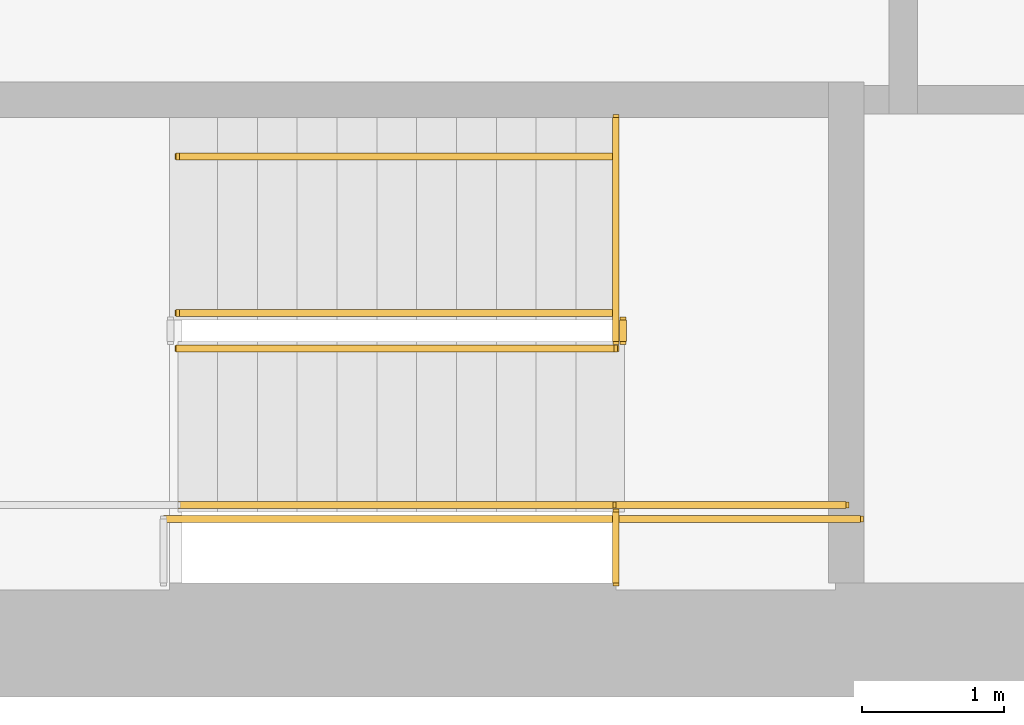
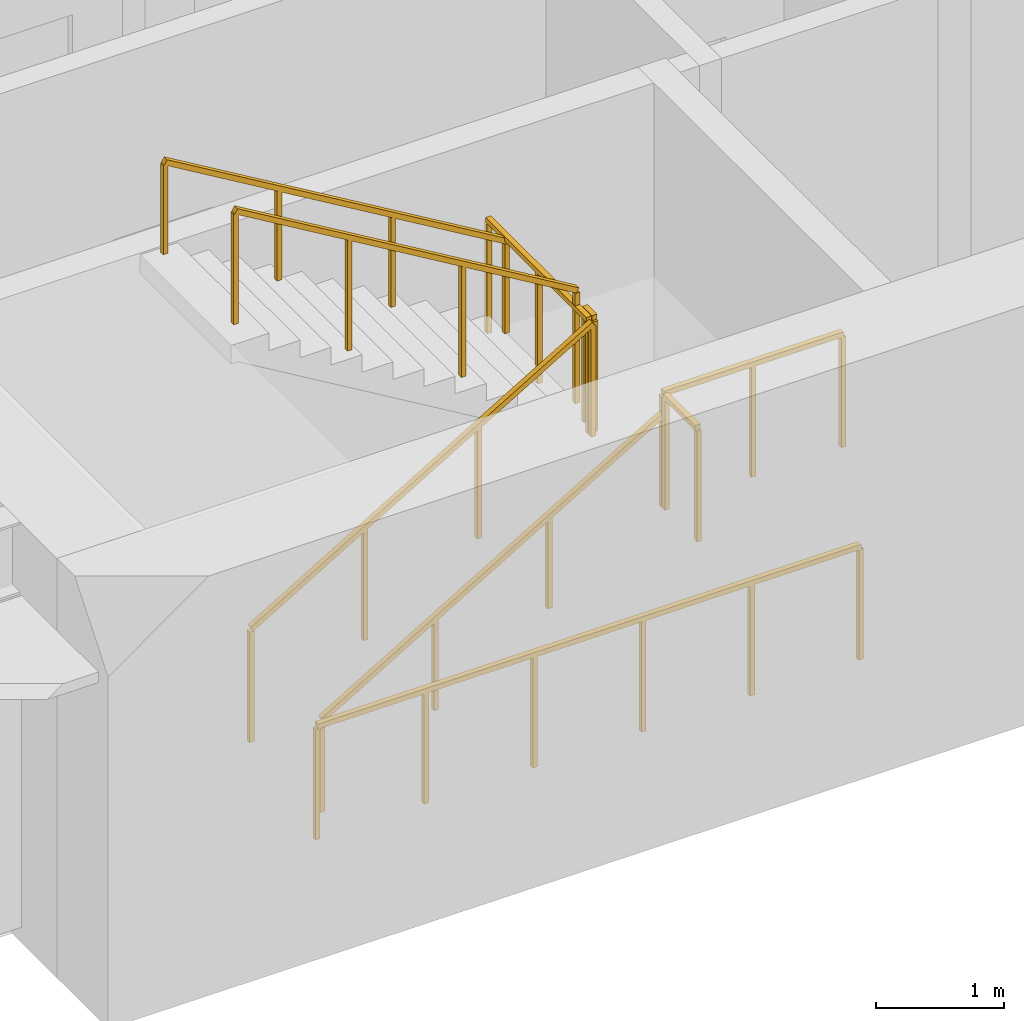
# One storey, part 10 of 12: 9 railings.
"""IFC4 building model written with IfcOpenShell, lengths in metres."""

import ifcopenshell
import ifcopenshell.guid

model = None  # the IFC model being written
_history = None  # IfcOwnerHistory: only IFC2X3 demands one
_inside = {}  # id of a spatial element -> (the spatial element, [elements in it])
_under = {}  # id of a project, library or spatial element -> (it, [spatial elements below it])
_declared = {}  # id of a project -> (the project, [libraries it declares])
_typed = {}  # id of a type object -> (the type object, [elements of that type])
_made_of = {}  # id of a material, layer set ... -> (it, [elements and type objects made of it])


def new_model(schema):
    """Start an empty IFC model of exactly this schema.

    Asked for "IFC4X3", IfcOpenShell would pick the latest addendum, in which some entities
    have other attributes; the version numbers below select the first issue.
    IFC2X3 requires an IfcOwnerHistory on every rooted entity: one is made here for all.
    """
    global model, _history
    if schema == "IFC4X3":
        model = ifcopenshell.file(schema_version=(4, 3, 0, 0))
    else:
        model = ifcopenshell.file(schema=schema)
    _inside.clear()
    _under.clear()
    _declared.clear()
    _typed.clear()
    _made_of.clear()
    _history = None
    if model.schema == "IFC2X3":
        org = make("IfcOrganization", Name="unknown")
        user = make(
            "IfcPersonAndOrganization",
            ThePerson=make("IfcPerson", FamilyName="unknown"),
            TheOrganization=org,
        )
        app = make(
            "IfcApplication",
            ApplicationDeveloper=org,
            Version="unknown",
            ApplicationFullName="unknown",
            ApplicationIdentifier="unknown",
        )
        _history = make(
            "IfcOwnerHistory",
            OwningUser=user,
            OwningApplication=app,
            ChangeAction="ADDED",
            CreationDate=0,
        )
    return model


def make(cls, **values):
    """One entity of the class cls with the attributes given. An attribute that is None is left unset."""
    return model.create_entity(
        cls, **{name: value for name, value in values.items() if value is not None}
    )


def rooted(cls, **values):
    """An entity with a GlobalId (a new one), such as an element, a storey or a relation."""
    return make(cls, GlobalId=ifcopenshell.guid.new(), OwnerHistory=_history, **values)


def si_unit(unit_type, name, prefix=None):
    """IfcSIUnit, for example si_unit("LENGTHUNIT", "METRE", prefix="MILLI")."""
    return make("IfcSIUnit", UnitType=unit_type, Prefix=prefix, Name=name)


def assignment(units):
    """IfcUnitAssignment: the units of a project."""
    return None if units is None else make("IfcUnitAssignment", Units=units)


def point(xyz):
    """IfcCartesianPoint."""
    return None if xyz is None else make("IfcCartesianPoint", Coordinates=xyz)


def direction(xyz):
    """IfcDirection."""
    return None if xyz is None else make("IfcDirection", DirectionRatios=xyz)


def frame(location, z_axis=None, x_axis=None):
    """IfcAxis2Placement3D, a coordinate frame: its origin and axes. An axis left out is left unset."""
    return make(
        "IfcAxis2Placement3D",
        Location=point(location),
        Axis=direction(z_axis),
        RefDirection=direction(x_axis),
    )


def frame_2d(location, x_axis=None):
    """IfcAxis2Placement2D, a coordinate frame in the plane: its origin and x axis."""
    return make(
        "IfcAxis2Placement2D", Location=point(location), RefDirection=direction(x_axis)
    )


def origin():
    """The frame at (0, 0, 0) with its axes left unset."""
    return frame((0.0, 0.0, 0.0))


def origin_2d():
    """The frame at (0, 0) in the plane with its x axis left unset."""
    return frame_2d((0.0, 0.0))


def place(relative_to, where):
    """IfcLocalPlacement: puts the frame where relative to a parent placement (None: the world)."""
    return make(
        "IfcLocalPlacement", PlacementRelTo=relative_to, RelativePlacement=where
    )


def context(
    kind, dimensions, precision=None, world=None, true_north=None, identifier=None
):
    """IfcGeometricRepresentationContext, for example the 3D "Model" context."""
    return make(
        "IfcGeometricRepresentationContext",
        ContextIdentifier=identifier,
        ContextType=kind,
        CoordinateSpaceDimension=dimensions,
        Precision=precision,
        WorldCoordinateSystem=world,
        TrueNorth=true_north,
    )


def subcontext(parent, identifier, kind, view, scale=None):
    """IfcGeometricRepresentationSubContext, for example "Body" below "Model"."""
    return make(
        "IfcGeometricRepresentationSubContext",
        ContextIdentifier=identifier,
        ContextType=kind,
        ParentContext=parent,
        TargetScale=scale,
        TargetView=view,
    )


def project(units=None, contexts=None):
    """IfcProject with its units and contexts."""
    return rooted(
        "IfcProject",
        Name="project",
        RepresentationContexts=contexts,
        UnitsInContext=assignment(units),
    )


def spatial(cls, under=None, at=None, **own):
    """A site, building, storey or space (cls), placed at a placement, below another one or the project."""
    s = rooted(cls, ObjectPlacement=at, **own)
    if under is not None:
        _under.setdefault(under.id(), (under, []))[1].append(s)
    return s


def profile(cls, at=None, kind="AREA", **sizes):
    """A parametric profile (cls). Its sizes go by their IFC names, for example OverallWidth=200.0."""
    return make(cls, ProfileType=kind, Position=at, **sizes)


def rectangle(**sizes):
    """IfcRectangleProfileDef."""
    return profile("IfcRectangleProfileDef", **sizes)


def extrude(swept, where, along, depth):
    """IfcExtrudedAreaSolid: the profile swept, set in the frame where, extruded along a direction by depth."""
    return make(
        "IfcExtrudedAreaSolid",
        SweptArea=swept,
        Position=where,
        ExtrudedDirection=direction(along),
        Depth=depth,
    )


def shape(context_of_items, identifier, shape_type, items):
    """IfcShapeRepresentation: the items that make up one representation, for example the "Body"."""
    return make(
        "IfcShapeRepresentation",
        ContextOfItems=context_of_items,
        RepresentationIdentifier=identifier,
        RepresentationType=shape_type,
        Items=items,
    )


def material(Name=None, Category=None):
    """IfcMaterial."""
    return make("IfcMaterial", Name=Name, Category=Category)


def made_of(thing, what):
    """Note that an element or type object is made of a material, layer set ...; save() writes the relation."""
    if what is not None:
        _made_of.setdefault(what.id(), (what, []))[1].append(thing)
    return thing


def type_object(cls, material=None, **own):
    """A type object (cls), such as IfcWallType, which elements share."""
    return made_of(rooted(cls, **own), material)


def element(
    cls,
    number,
    at=None,
    inside=None,
    cuts=None,
    type_object=None,
    material=None,
    context=None,
    identifier="Body",
    shape_type=None,
    held_by="IfcProductDefinitionShape",
    body=None,
    shapes=None,
    **own,
):
    """One element of the class cls, such as IfcWall. Its Tag is "e" and its number.

    at: its placement. inside: the storey or other place that contains it. cuts: it is an
    opening in that element (IfcRelVoidsElement). A single representation is given by context,
    identifier, shape_type and body (its items); several are given by shapes. held_by: the class
    of the entity that holds the representations. save() writes the other relations.
    """
    e = rooted(cls, Tag="e%d" % number, ObjectPlacement=at, **own)
    if body is not None:
        shapes = [shape(context, identifier, shape_type, body)]
    if shapes is not None:
        e.Representation = make(held_by, Representations=shapes)
    if inside is not None:
        _inside.setdefault(inside.id(), (inside, []))[1].append(e)
    if cuts is not None:
        rooted(
            "IfcRelVoidsElement", RelatingBuildingElement=cuts, RelatedOpeningElement=e
        )
    if type_object is not None:
        _typed.setdefault(type_object.id(), (type_object, []))[1].append(e)
    return made_of(e, material)


def aggregate(whole, parts):
    """IfcRelAggregates: a whole, such as a stair, and the parts it consists of."""
    return rooted("IfcRelAggregates", RelatingObject=whole, RelatedObjects=parts)


def save(model, path):
    """Write the relations noted so far, then the file.

    IfcRelAggregates (storeys below a building ...), IfcRelContainedInSpatialStructure (elements
    in a storey), IfcRelDefinesByType, IfcRelAssociatesMaterial and IfcRelDeclares: one each for
    every whole, place, type object, material and project.
    """
    for whole, parts in _under.values():
        aggregate(whole, parts)
    for where, things in _inside.values():
        rooted(
            "IfcRelContainedInSpatialStructure",
            RelatedElements=things,
            RelatingStructure=where,
        )
    for kind, things in _typed.values():
        rooted("IfcRelDefinesByType", RelatedObjects=things, RelatingType=kind)
    for what, things in _made_of.values():
        rooted("IfcRelAssociatesMaterial", RelatedObjects=things, RelatingMaterial=what)
    for by, libraries in _declared.values():
        rooted("IfcRelDeclares", RelatingContext=by, RelatedDefinitions=libraries)
    model.write(path)


model = new_model("IFC4")

# Units and contexts
model_context = context("Model", 3, precision=1e-05, world=origin(), true_north=direction((0.0, 1.0)))
body_context = subcontext(model_context, "Body", "Model", "MODEL_VIEW")
ifc_project = project(units=[si_unit("LENGTHUNIT", "METRE"), si_unit("AREAUNIT", "SQUARE_METRE"), si_unit("VOLUMEUNIT", "CUBIC_METRE"), si_unit("PLANEANGLEUNIT", "RADIAN"), si_unit("MASSUNIT", "GRAM", prefix="KILO")], contexts=[model_context])

# Site, building, storey
site_placement = place(None, origin())
site = spatial("IfcSite", under=ifc_project, at=site_placement, CompositionType="ELEMENT")
building_placement = place(site_placement, origin())
building = spatial("IfcBuilding", under=site, at=building_placement, Name="Sennacour Bend Tower", CompositionType="ELEMENT")
storey_placement = place(building_placement, frame((0.0, 0.0, 289.0)))
storey = spatial("IfcBuildingStorey", under=building, at=storey_placement, Name="L67", CompositionType="ELEMENT", Elevation=289.0)

# Railings
ifc_material = material(Name="Stainless steel", Category="steel")
railing_type_1 = type_object("IfcRailingType", Name="RL-GUARD-1100", PredefinedType="GUARDRAIL", material=ifc_material)
railing_1_placement = place(storey_placement, frame((56.699951171875, 2.449951171875, 0.166748046875)))
element("IfcRailing", 1, at=railing_1_placement, inside=storey, type_object=railing_type_1, Name="L67 SA1 stair guard 1", PredefinedType="GUARDRAIL", context=body_context, shape_type="SweptSolid", body=[
    extrude(rectangle(XDim=0.048095703125, YDim=0.048095703125, at=origin_2d()), frame((0.0, 0.0, 1.076171875), z_axis=(0.859308565015, 0.0, 0.511457515432), x_axis=(0.0, 1.0, 0.0)), (0.0, 0.0, 1.0), 3.58447265625),
    extrude(rectangle(XDim=0.0419921875, YDim=0.0419921875, at=origin_2d()), origin(), (0.0, 0.0, 1.0), 1.052001953125),
    extrude(rectangle(XDim=0.0419921875, YDim=0.0419921875, at=origin_2d()), frame((1.026611328125, 0.0, 0.611083984375)), (0.0, 0.0, 1.0), 1.052001953125),
    extrude(rectangle(XDim=0.0419921875, YDim=0.0419921875, at=origin_2d()), frame((2.053466796875, 0.0, 1.22216796875)), (0.0, 0.0, 1.0), 1.052001953125),
    extrude(rectangle(XDim=0.0419921875, YDim=0.0419921875, at=origin_2d()), frame((3.080078125, 0.0, 1.833251953125)), (0.0, 0.0, 1.0), 1.052001953125),
])
railing_2_placement = place(storey_placement, frame((59.830078125, 2.5, 2.0)))
element("IfcRailing", 2, at=railing_2_placement, inside=storey, type_object=railing_type_1, Name="L67 SA1 stair guard 2", PredefinedType="GUARDRAIL", context=body_context, shape_type="SweptSolid", body=[
    extrude(rectangle(XDim=0.048095703125, YDim=0.048095703125, at=origin_2d()), frame((0.0, 0.0, 1.076171875), z_axis=(0.0, 1.0, 0.0), x_axis=(-1.0, 0.0, 0.0)), (0.0, 0.0, 1.0), 0.14990234375),
    extrude(rectangle(XDim=0.0419921875, YDim=0.0419921875, at=origin_2d()), origin(), (0.0, 0.0, 1.0), 1.052001953125),
    extrude(rectangle(XDim=0.0419921875, YDim=0.0419921875, at=origin_2d()), frame((0.0, 0.14990234375, 0.0)), (0.0, 0.0, 1.0), 1.052001953125),
])
railing_3_placement = place(storey_placement, frame((59.780029296875, 1.35009765625, 2.0)))
element("IfcRailing", 3, at=railing_3_placement, inside=storey, type_object=railing_type_1, Name="L67 SA1 stair guard 3", PredefinedType="GUARDRAIL", context=body_context, shape_type="SweptSolid", body=[
    extrude(rectangle(XDim=0.048095703125, YDim=0.048095703125, at=origin_2d()), frame((0.0, 0.0, 1.076171875), z_axis=(1.0, 0.0, 0.0), x_axis=(0.0, 1.0, 0.0)), (0.0, 0.0, 1.0), 1.619873046875),
    extrude(rectangle(XDim=0.0419921875, YDim=0.0419921875, at=origin_2d()), origin(), (0.0, 0.0, 1.0), 1.052001953125),
    extrude(rectangle(XDim=0.0419921875, YDim=0.0419921875, at=origin_2d()), frame((0.81005859375, 0.0, 0.0)), (0.0, 0.0, 1.0), 1.052001953125),
    extrude(rectangle(XDim=0.0419921875, YDim=0.0419921875, at=origin_2d()), frame((1.619873046875, 0.0, 0.0)), (0.0, 0.0, 1.0), 1.052001953125),
])
railing_4_placement = place(storey_placement, frame((59.780029296875, 2.699951171875, 2.166748046875)))
element("IfcRailing", 4, at=railing_4_placement, inside=storey, type_object=railing_type_1, Name="L67 SA1 stair guard 4", PredefinedType="GUARDRAIL", context=body_context, shape_type="SweptSolid", body=[
    extrude(rectangle(XDim=0.048095703125, YDim=0.048095703125, at=origin_2d()), frame((0.0, 0.0, 1.076171875), z_axis=(-0.859308565015, 0.0, 0.511457515432), x_axis=(0.0, -1.0, 0.0)), (0.0, 0.0, 1.0), 3.58447265625),
    extrude(rectangle(XDim=0.0419921875, YDim=0.0419921875, at=origin_2d()), origin(), (0.0, 0.0, 1.0), 1.052001953125),
    extrude(rectangle(XDim=0.0419921875, YDim=0.0419921875, at=origin_2d()), frame((-1.026611328125, 0.0, 0.611083984375)), (0.0, 0.0, 1.0), 1.052001953125),
    extrude(rectangle(XDim=0.0419921875, YDim=0.0419921875, at=origin_2d()), frame((-2.053466796875, 0.0, 1.22216796875)), (0.0, 0.0, 1.0), 1.052001953125),
    extrude(rectangle(XDim=0.0419921875, YDim=0.0419921875, at=origin_2d()), frame((-3.080078125, 0.0, 1.833251953125)), (0.0, 0.0, 1.0), 1.052001953125),
])
railing_5_placement = place(storey_placement, frame((56.60009765625, 1.25, 0.0)))
element("IfcRailing", 5, at=railing_5_placement, inside=storey, type_object=railing_type_1, Name="L67 SA1 stair guard 8", PredefinedType="GUARDRAIL", context=body_context, shape_type="SweptSolid", body=[
    extrude(rectangle(XDim=0.048095703125, YDim=0.048095703125, at=origin_2d()), frame((0.0, 0.0, 1.076171875), z_axis=(1.0, 0.0, 0.0), x_axis=(0.0, 1.0, 0.0)), (0.0, 0.0, 1.0), 4.89990234375),
    extrude(rectangle(XDim=0.0419921875, YDim=0.0419921875, at=origin_2d()), origin(), (0.0, 0.0, 1.0), 1.052001953125),
    extrude(rectangle(XDim=0.0419921875, YDim=0.0419921875, at=origin_2d()), frame((0.97998046875, 0.0, 0.0)), (0.0, 0.0, 1.0), 1.052001953125),
    extrude(rectangle(XDim=0.0419921875, YDim=0.0419921875, at=origin_2d()), frame((1.9599609375, 0.0, 0.0)), (0.0, 0.0, 1.0), 1.052001953125),
    extrude(rectangle(XDim=0.0419921875, YDim=0.0419921875, at=origin_2d()), frame((2.93994140625, 0.0, 0.0)), (0.0, 0.0, 1.0), 1.052001953125),
    extrude(rectangle(XDim=0.0419921875, YDim=0.0419921875, at=origin_2d()), frame((3.919921875, 0.0, 0.0)), (0.0, 0.0, 1.0), 1.052001953125),
    extrude(rectangle(XDim=0.0419921875, YDim=0.0419921875, at=origin_2d()), frame((4.89990234375, 0.0, 0.0)), (0.0, 0.0, 1.0), 1.052001953125),
])
railing_6_placement = place(storey_placement, frame((59.780029296875, 0.800048828125, 2.0)))
element("IfcRailing", 6, at=railing_6_placement, inside=storey, type_object=railing_type_1, Name="L67 SA1 landing edge guard 104", PredefinedType="GUARDRAIL", context=body_context, shape_type="SweptSolid", body=[
    extrude(rectangle(XDim=0.048095703125, YDim=0.048095703125, at=origin_2d()), frame((0.0, 0.0, 1.076171875), z_axis=(0.0, 1.0, 0.0), x_axis=(-1.0, 0.0, 0.0)), (0.0, 0.0, 1.0), 0.5),
    extrude(rectangle(XDim=0.0419921875, YDim=0.0419921875, at=origin_2d()), origin(), (0.0, 0.0, 1.0), 1.052001953125),
    extrude(rectangle(XDim=0.0419921875, YDim=0.0419921875, at=origin_2d()), frame((0.0, 0.5, 0.0)), (0.0, 0.0, 1.0), 1.052001953125),
])
railing_7_placement = place(storey_placement, frame((59.780029296875, 2.5, 2.0)))
element("IfcRailing", 7, at=railing_7_placement, inside=storey, type_object=railing_type_1, Name="L67 SA1 landing edge guard 105", PredefinedType="GUARDRAIL", context=body_context, shape_type="SweptSolid", body=[
    extrude(rectangle(XDim=0.048095703125, YDim=0.048095703125, at=origin_2d()), frame((0.0, 0.0, 1.076171875), z_axis=(0.0, 1.0, 0.0), x_axis=(-1.0, 0.0, 0.0)), (0.0, 0.0, 1.0), 1.574951171875),
    extrude(rectangle(XDim=0.0419921875, YDim=0.0419921875, at=origin_2d()), origin(), (0.0, 0.0, 1.0), 1.052001953125),
    extrude(rectangle(XDim=0.0419921875, YDim=0.0419921875, at=origin_2d()), frame((0.0, 0.78759765625, 0.0)), (0.0, 0.0, 1.0), 1.052001953125),
    extrude(rectangle(XDim=0.0419921875, YDim=0.0419921875, at=origin_2d()), frame((0.0, 1.574951171875, 0.0)), (0.0, 0.0, 1.0), 1.052001953125),
])
railing_type_2 = type_object("IfcRailingType", Name="RL-HANDRAIL-900", PredefinedType="HANDRAIL", material=ifc_material)
railing_8_placement = place(storey_placement, frame((56.699951171875, 1.35009765625, 0.166748046875)))
element("IfcRailing", 8, at=railing_8_placement, inside=storey, type_object=railing_type_2, Name="L67 SA1 stair handrail 1", PredefinedType="HANDRAIL", context=body_context, shape_type="SweptSolid", body=[
    extrude(rectangle(XDim=0.048095703125, YDim=0.048095703125, at=origin_2d()), frame((0.0, 0.0, 0.8759765625), z_axis=(0.859308565015, 0.0, 0.511457515432), x_axis=(0.0, 1.0, 0.0)), (0.0, 0.0, 1.0), 3.58447265625),
    extrude(rectangle(XDim=0.0419921875, YDim=0.0419921875, at=origin_2d()), origin(), (0.0, 0.0, 1.0), 0.851806640625),
    extrude(rectangle(XDim=0.0419921875, YDim=0.0419921875, at=origin_2d()), frame((1.026611328125, 0.0, 0.611083984375)), (0.0, 0.0, 1.0), 0.851806640625),
    extrude(rectangle(XDim=0.0419921875, YDim=0.0419921875, at=origin_2d()), frame((2.053466796875, 0.0, 1.22216796875)), (0.0, 0.0, 1.0), 0.851806640625),
    extrude(rectangle(XDim=0.0419921875, YDim=0.0419921875, at=origin_2d()), frame((3.080078125, 0.0, 1.833251953125)), (0.0, 0.0, 1.0), 0.851806640625),
])
railing_9_placement = place(storey_placement, frame((59.780029296875, 3.800048828125, 2.166748046875)))
element("IfcRailing", 9, at=railing_9_placement, inside=storey, type_object=railing_type_2, Name="L67 SA1 stair handrail 2", PredefinedType="HANDRAIL", context=body_context, shape_type="SweptSolid", body=[
    extrude(rectangle(XDim=0.048095703125, YDim=0.048095703125, at=origin_2d()), frame((0.0, 0.0, 0.8759765625), z_axis=(-0.859308565015, 0.0, 0.511457515432), x_axis=(0.0, -1.0, 0.0)), (0.0, 0.0, 1.0), 3.58447265625),
    extrude(rectangle(XDim=0.0419921875, YDim=0.0419921875, at=origin_2d()), origin(), (0.0, 0.0, 1.0), 0.851806640625),
    extrude(rectangle(XDim=0.0419921875, YDim=0.0419921875, at=origin_2d()), frame((-1.026611328125, 0.0, 0.611083984375)), (0.0, 0.0, 1.0), 0.851806640625),
    extrude(rectangle(XDim=0.0419921875, YDim=0.0419921875, at=origin_2d()), frame((-2.053466796875, 0.0, 1.22216796875)), (0.0, 0.0, 1.0), 0.851806640625),
    extrude(rectangle(XDim=0.0419921875, YDim=0.0419921875, at=origin_2d()), frame((-3.080078125, 0.0, 1.833251953125)), (0.0, 0.0, 1.0), 0.851806640625),
])

save(model, "model.ifc")
